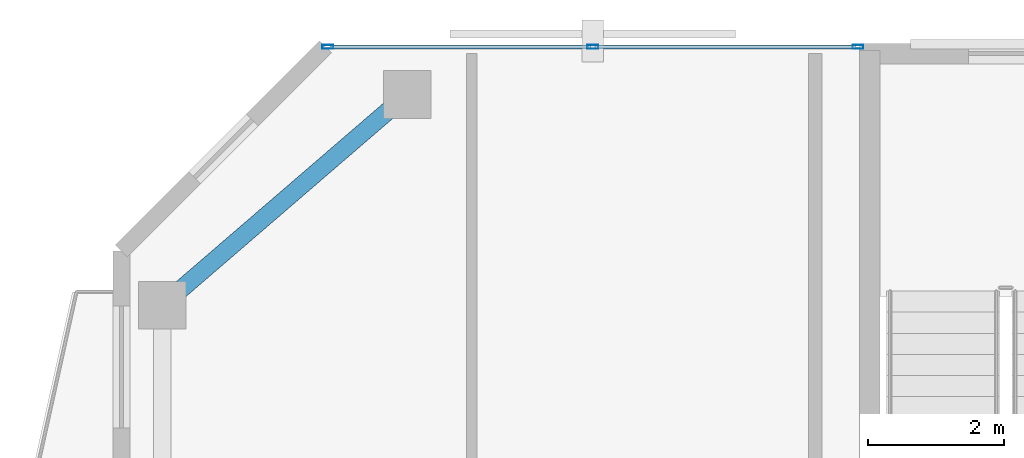
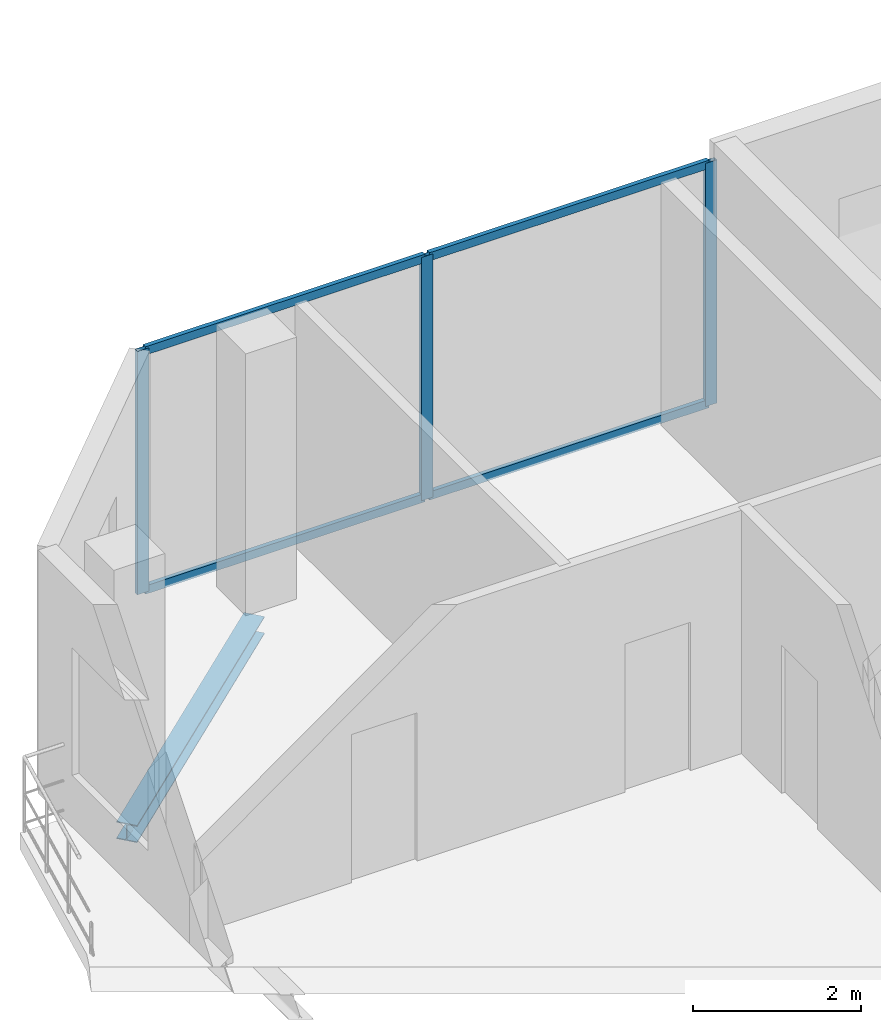
# One storey, part 16 of 22: 7 members, 1 beam, 1 element without a shape of its own.
"""IFC4 building model written with IfcOpenShell, lengths in metres."""

from ifc_helpers import new_model, si_unit, direction, frame, origin, origin_2d, place, context, subcontext, project, spatial, hollow_rectangle, i_section, extrude, material, layer, layer_set, material_profile, profile_set, type_object, element, aggregate, save


model = new_model("IFC4")

# Units and contexts
model_context = context("Model", 3, precision=1e-05, world=origin(), true_north=direction((0.0, 1.0)))
body_context = subcontext(model_context, "Body", "Model", "MODEL_VIEW")
ifc_project = project(units=[si_unit("LENGTHUNIT", "METRE"), si_unit("AREAUNIT", "SQUARE_METRE"), si_unit("VOLUMEUNIT", "CUBIC_METRE"), si_unit("PLANEANGLEUNIT", "RADIAN"), si_unit("MASSUNIT", "GRAM", prefix="KILO")], contexts=[model_context])

# Site, building, storey
site_placement = place(None, origin())
site = spatial("IfcSite", under=ifc_project, at=site_placement, CompositionType="ELEMENT")
building_placement = place(site_placement, origin())
building = spatial("IfcBuilding", under=site, at=building_placement, Name="Catumbela Crestline Tower", CompositionType="ELEMENT")
storey_placement = place(building_placement, frame((0.0, 0.0, 260.2)))
storey = spatial("IfcBuildingStorey", under=building, at=storey_placement, Name="L67", CompositionType="ELEMENT", Elevation=260.2)

# Curtain wall, members
ifc_material_1 = material(Name="Aluminium alloy AW-6060-T66", Category="aluminium")
ifc_layer = layer(ifc_material_1, 0.18, Name="Aluminium alloy AW-6060-T66")
ifc_layer_set = layer_set([ifc_layer], Name="Aluminium alloy AW-6060-T66")
curtain_wall_type = type_object("IfcCurtainWallType", Name="CWU-Z4", PredefinedType="USERDEFINED", material=ifc_layer_set)
curtain_wall_placement = place(storey_placement, origin())
curtain_wall = element("IfcCurtainWall", 1, at=curtain_wall_placement, inside=storey, type_object=curtain_wall_type, Name="L67 Unitised Curtain Wall CW-L67-E7S2", ObjectType="UNITISED", PredefinedType="USERDEFINED")
ifc_material_profile_1 = material_profile(ifc_material_1, hollow_rectangle(XDim=0.06, YDim=0.16, WallThickness=0.004, at=origin_2d()), Name="ALU 160x60x4")
ifc_profile_set_1 = profile_set([ifc_material_profile_1], Name="Aluminium alloy AW-6060-T66")
member_type_1 = type_object("IfcMemberType", Name="MUL-160X60", PredefinedType="MULLION", material=ifc_profile_set_1)
member_1_placement = place(storey_placement, frame((15.8275, 43.0, 0.0), z_axis=(0.0, 0.0, 1.0), x_axis=(0.0, -1.0, 0.0)))
member_1 = element("IfcMember", 2, at=member_1_placement, type_object=member_type_1, Name="CWU-Z4 mullion 1", PredefinedType="MULLION", context=body_context, shape_type="SweptSolid", body=[
    extrude(hollow_rectangle(XDim=0.06, YDim=0.16, WallThickness=0.004, at=origin_2d()), origin(), (0.0, 0.0, 1.0), 3.53),
])
member_2_placement = place(storey_placement, frame((11.93, 43.0, 0.0), z_axis=(0.0, 0.0, 1.0), x_axis=(0.0, -1.0, 0.0)))
member_2 = element("IfcMember", 3, at=member_2_placement, type_object=member_type_1, Name="CWU-Z4 mullion 2", PredefinedType="MULLION", context=body_context, shape_type="SweptSolid", body=[
    extrude(hollow_rectangle(XDim=0.06, YDim=0.16, WallThickness=0.004, at=origin_2d()), origin(), (0.0, 0.0, 1.0), 3.53),
])
member_3_placement = place(storey_placement, frame((8.0325, 43.0, 0.0), z_axis=(0.0, 0.0, 1.0), x_axis=(0.0, -1.0, 0.0)))
member_3 = element("IfcMember", 4, at=member_3_placement, type_object=member_type_1, Name="CWU-Z4 mullion 3", PredefinedType="MULLION", context=body_context, shape_type="SweptSolid", body=[
    extrude(hollow_rectangle(XDim=0.06, YDim=0.16, WallThickness=0.004, at=origin_2d()), origin(), (0.0, 0.0, 1.0), 3.53),
])

# Beam
ifc_material_2 = material(Name="Structural steel S355J2", Category="steel")
ifc_material_profile_2 = material_profile(ifc_material_2, i_section(OverallWidth=0.26, OverallDepth=0.25, WebThickness=0.0075, FlangeThickness=0.0125, FilletRadius=0.024, at=origin_2d()), Name="HEA 260")
ifc_profile_set_2 = profile_set([ifc_material_profile_2], Name="Structural steel S355J2")
beam_type = type_object("IfcBeamType", Name="BS-HEA260", PredefinedType="SPANDREL", material=ifc_profile_set_2)
beam_placement = place(storey_placement, frame((5.6606, 39.2522, -0.385), z_axis=(0.757772392559, 0.652518966066, 0.0), x_axis=(-0.652518966066, 0.757772392559, 0.0)))
element("IfcBeam", 5, at=beam_placement, inside=storey, type_object=beam_type, Name="L67 Spandrel SP-L67-N09", PredefinedType="SPANDREL", context=body_context, shape_type="SweptSolid", body=[
    extrude(i_section(OverallWidth=0.26, OverallDepth=0.25, WebThickness=0.0075, FlangeThickness=0.0125, FilletRadius=0.024, at=origin_2d()), origin(), (0.0, 0.0, 1.0), 4.5908),
])

# Member
ifc_material_profile_3 = material_profile(ifc_material_1, hollow_rectangle(XDim=0.06, YDim=0.12, WallThickness=0.0035, at=origin_2d()), Name="ALU 120x60x3.5")
ifc_profile_set_3 = profile_set([ifc_material_profile_3], Name="Aluminium alloy AW-6060-T66")
member_type_2 = type_object("IfcMemberType", Name="TRN-120X60", PredefinedType="USERDEFINED", material=ifc_profile_set_3)
member_4_placement = place(storey_placement, frame((15.795, 43.0, 0.03), z_axis=(-1.0, 0.0, 0.0), x_axis=(0.0, -1.0, 0.0)))
member_4 = element("IfcMember", 6, at=member_4_placement, type_object=member_type_2, Name="CWU-Z4 transom 1.1", ObjectType="TRANSOM", PredefinedType="USERDEFINED", context=body_context, shape_type="SweptSolid", body=[
    extrude(hollow_rectangle(XDim=0.06, YDim=0.12, WallThickness=0.0035, at=origin_2d()), origin(), (0.0, 0.0, 1.0), 3.8325),
])

member_5_placement = place(storey_placement, frame((15.795, 43.0, 3.5), z_axis=(-1.0, 0.0, 0.0), x_axis=(0.0, -1.0, 0.0)))
member_5 = element("IfcMember", 7, at=member_5_placement, type_object=member_type_2, Name="CWU-Z4 transom 1.2", ObjectType="TRANSOM", PredefinedType="USERDEFINED", context=body_context, shape_type="SweptSolid", body=[
    extrude(hollow_rectangle(XDim=0.06, YDim=0.12, WallThickness=0.0035, at=origin_2d()), origin(), (0.0, 0.0, 1.0), 3.8325),
])

member_6_placement = place(storey_placement, frame((11.8975, 43.0, 0.03), z_axis=(-1.0, 0.0, 0.0), x_axis=(0.0, -1.0, 0.0)))
member_6 = element("IfcMember", 8, at=member_6_placement, type_object=member_type_2, Name="CWU-Z4 transom 2.1", ObjectType="TRANSOM", PredefinedType="USERDEFINED", context=body_context, shape_type="SweptSolid", body=[
    extrude(hollow_rectangle(XDim=0.06, YDim=0.12, WallThickness=0.0035, at=origin_2d()), origin(), (0.0, 0.0, 1.0), 3.8325),
])

member_7_placement = place(storey_placement, frame((11.8975, 43.0, 3.5), z_axis=(-1.0, 0.0, 0.0), x_axis=(0.0, -1.0, 0.0)))
member_7 = element("IfcMember", 9, at=member_7_placement, type_object=member_type_2, Name="CWU-Z4 transom 2.2", ObjectType="TRANSOM", PredefinedType="USERDEFINED", context=body_context, shape_type="SweptSolid", body=[
    extrude(hollow_rectangle(XDim=0.06, YDim=0.12, WallThickness=0.0035, at=origin_2d()), origin(), (0.0, 0.0, 1.0), 3.8325),
])

aggregate(curtain_wall, [member_1, member_2, member_3, member_4, member_5, member_6, member_7])

save(model, "model.ifc")
